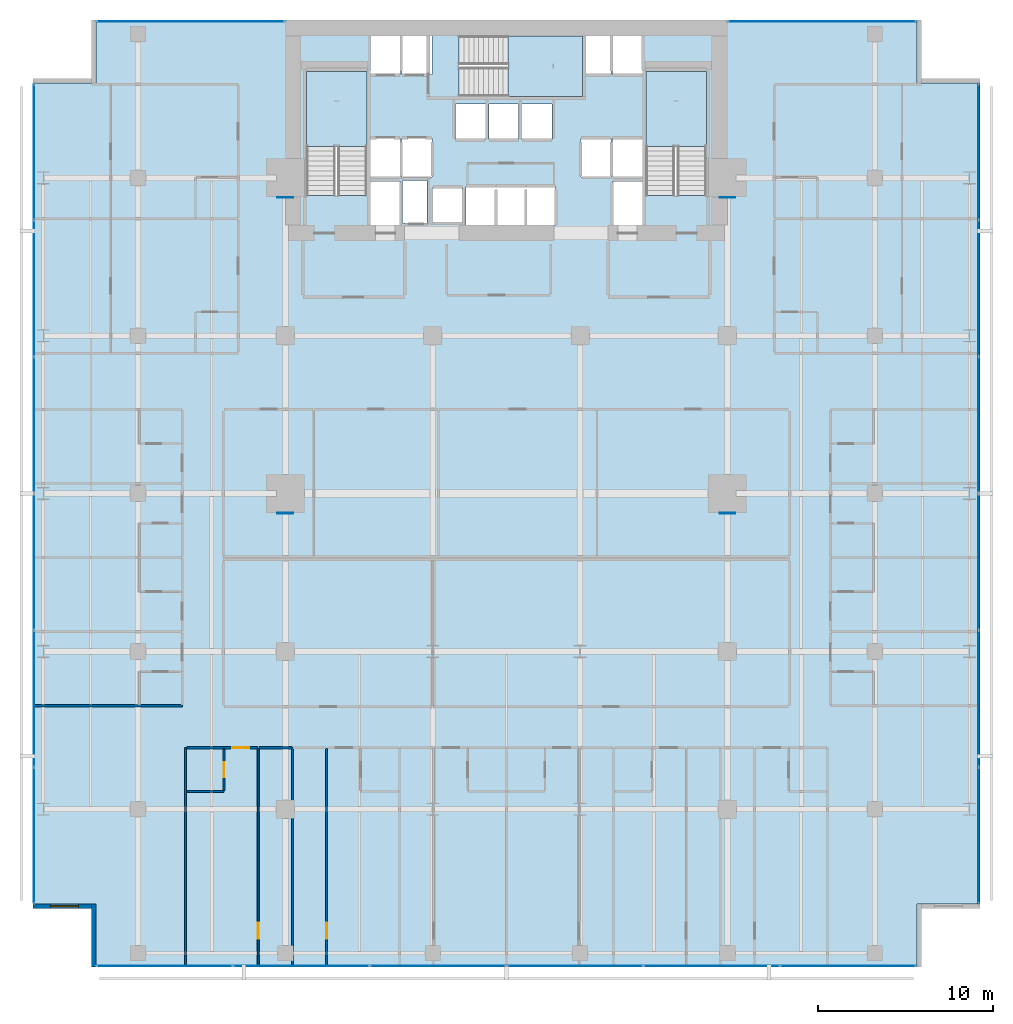
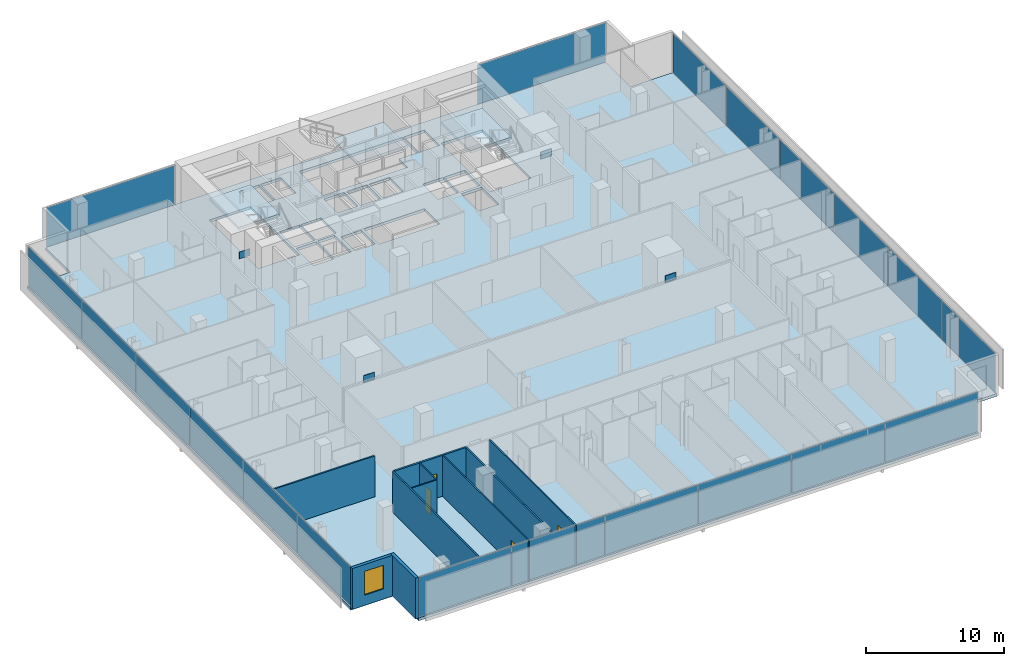
# One storey, part 32 of 40: 24 plates, 12 walls, 4 doors, 4 slabs, 1 window, 5 openings, 8 elements without a shape of their own.
"""IFC4 building model written with IfcOpenShell, lengths in metres."""

import ifcopenshell
import ifcopenshell.guid

model = None  # the IFC model being written
_history = None  # IfcOwnerHistory: only IFC2X3 demands one
_inside = {}  # id of a spatial element -> (the spatial element, [elements in it])
_under = {}  # id of a project, library or spatial element -> (it, [spatial elements below it])
_declared = {}  # id of a project -> (the project, [libraries it declares])
_typed = {}  # id of a type object -> (the type object, [elements of that type])
_made_of = {}  # id of a material, layer set ... -> (it, [elements and type objects made of it])


def new_model(schema):
    """Start an empty IFC model of exactly this schema.

    Asked for "IFC4X3", IfcOpenShell would pick the latest addendum, in which some entities
    have other attributes; the version numbers below select the first issue.
    IFC2X3 requires an IfcOwnerHistory on every rooted entity: one is made here for all.
    """
    global model, _history
    if schema == "IFC4X3":
        model = ifcopenshell.file(schema_version=(4, 3, 0, 0))
    else:
        model = ifcopenshell.file(schema=schema)
    _inside.clear()
    _under.clear()
    _declared.clear()
    _typed.clear()
    _made_of.clear()
    _history = None
    if model.schema == "IFC2X3":
        org = make("IfcOrganization", Name="unknown")
        user = make(
            "IfcPersonAndOrganization",
            ThePerson=make("IfcPerson", FamilyName="unknown"),
            TheOrganization=org,
        )
        app = make(
            "IfcApplication",
            ApplicationDeveloper=org,
            Version="unknown",
            ApplicationFullName="unknown",
            ApplicationIdentifier="unknown",
        )
        _history = make(
            "IfcOwnerHistory",
            OwningUser=user,
            OwningApplication=app,
            ChangeAction="ADDED",
            CreationDate=0,
        )
    return model


def make(cls, **values):
    """One entity of the class cls with the attributes given. An attribute that is None is left unset."""
    return model.create_entity(
        cls, **{name: value for name, value in values.items() if value is not None}
    )


def rooted(cls, **values):
    """An entity with a GlobalId (a new one), such as an element, a storey or a relation."""
    return make(cls, GlobalId=ifcopenshell.guid.new(), OwnerHistory=_history, **values)


def si_unit(unit_type, name, prefix=None):
    """IfcSIUnit, for example si_unit("LENGTHUNIT", "METRE", prefix="MILLI")."""
    return make("IfcSIUnit", UnitType=unit_type, Prefix=prefix, Name=name)


def assignment(units):
    """IfcUnitAssignment: the units of a project."""
    return None if units is None else make("IfcUnitAssignment", Units=units)


def point(xyz):
    """IfcCartesianPoint."""
    return None if xyz is None else make("IfcCartesianPoint", Coordinates=xyz)


def direction(xyz):
    """IfcDirection."""
    return None if xyz is None else make("IfcDirection", DirectionRatios=xyz)


def frame(location, z_axis=None, x_axis=None):
    """IfcAxis2Placement3D, a coordinate frame: its origin and axes. An axis left out is left unset."""
    return make(
        "IfcAxis2Placement3D",
        Location=point(location),
        Axis=direction(z_axis),
        RefDirection=direction(x_axis),
    )


def frame_2d(location, x_axis=None):
    """IfcAxis2Placement2D, a coordinate frame in the plane: its origin and x axis."""
    return make(
        "IfcAxis2Placement2D", Location=point(location), RefDirection=direction(x_axis)
    )


def origin():
    """The frame at (0, 0, 0) with its axes left unset."""
    return frame((0.0, 0.0, 0.0))


def origin_2d():
    """The frame at (0, 0) in the plane with its x axis left unset."""
    return frame_2d((0.0, 0.0))


def place(relative_to, where):
    """IfcLocalPlacement: puts the frame where relative to a parent placement (None: the world)."""
    return make(
        "IfcLocalPlacement", PlacementRelTo=relative_to, RelativePlacement=where
    )


def context(
    kind, dimensions, precision=None, world=None, true_north=None, identifier=None
):
    """IfcGeometricRepresentationContext, for example the 3D "Model" context."""
    return make(
        "IfcGeometricRepresentationContext",
        ContextIdentifier=identifier,
        ContextType=kind,
        CoordinateSpaceDimension=dimensions,
        Precision=precision,
        WorldCoordinateSystem=world,
        TrueNorth=true_north,
    )


def subcontext(parent, identifier, kind, view, scale=None):
    """IfcGeometricRepresentationSubContext, for example "Body" below "Model"."""
    return make(
        "IfcGeometricRepresentationSubContext",
        ContextIdentifier=identifier,
        ContextType=kind,
        ParentContext=parent,
        TargetScale=scale,
        TargetView=view,
    )


def project(units=None, contexts=None):
    """IfcProject with its units and contexts."""
    return rooted(
        "IfcProject",
        Name="project",
        RepresentationContexts=contexts,
        UnitsInContext=assignment(units),
    )


def spatial(cls, under=None, at=None, **own):
    """A site, building, storey or space (cls), placed at a placement, below another one or the project."""
    s = rooted(cls, ObjectPlacement=at, **own)
    if under is not None:
        _under.setdefault(under.id(), (under, []))[1].append(s)
    return s


def polyline(points):
    """IfcPolyline through the points."""
    return make("IfcPolyline", Points=[point(p) for p in points])


def profile(cls, at=None, kind="AREA", **sizes):
    """A parametric profile (cls). Its sizes go by their IFC names, for example OverallWidth=200.0."""
    return make(cls, ProfileType=kind, Position=at, **sizes)


def rectangle(**sizes):
    """IfcRectangleProfileDef."""
    return profile("IfcRectangleProfileDef", **sizes)


def outline(outer, holes=None, kind="AREA"):
    """IfcArbitraryClosedProfileDef: a profile drawn as a closed curve; with holes, ...WithVoids."""
    if holes is None:
        return make("IfcArbitraryClosedProfileDef", ProfileType=kind, OuterCurve=outer)
    return make(
        "IfcArbitraryProfileDefWithVoids",
        ProfileType=kind,
        OuterCurve=outer,
        InnerCurves=holes,
    )


def extrude(swept, where, along, depth):
    """IfcExtrudedAreaSolid: the profile swept, set in the frame where, extruded along a direction by depth."""
    return make(
        "IfcExtrudedAreaSolid",
        SweptArea=swept,
        Position=where,
        ExtrudedDirection=direction(along),
        Depth=depth,
    )


def shape(context_of_items, identifier, shape_type, items):
    """IfcShapeRepresentation: the items that make up one representation, for example the "Body"."""
    return make(
        "IfcShapeRepresentation",
        ContextOfItems=context_of_items,
        RepresentationIdentifier=identifier,
        RepresentationType=shape_type,
        Items=items,
    )


def material(Name=None, Category=None):
    """IfcMaterial."""
    return make("IfcMaterial", Name=Name, Category=Category)


def layer(
    of_material, thickness, ventilated=None, Name=None, Category=None, Priority=None
):
    """IfcMaterialLayer: one layer of a wall or slab, of a material (None: an air gap)."""
    return make(
        "IfcMaterialLayer",
        Material=of_material,
        LayerThickness=thickness,
        IsVentilated=ventilated,
        Name=Name,
        Category=Category,
        Priority=Priority,
    )


def layer_set(layers, Name=None):
    """IfcMaterialLayerSet."""
    return make("IfcMaterialLayerSet", MaterialLayers=layers, LayerSetName=Name)


def made_of(thing, what):
    """Note that an element or type object is made of a material, layer set ...; save() writes the relation."""
    if what is not None:
        _made_of.setdefault(what.id(), (what, []))[1].append(thing)
    return thing


def type_object(cls, material=None, **own):
    """A type object (cls), such as IfcWallType, which elements share."""
    return made_of(rooted(cls, **own), material)


def element(
    cls,
    number,
    at=None,
    inside=None,
    cuts=None,
    type_object=None,
    material=None,
    context=None,
    identifier="Body",
    shape_type=None,
    held_by="IfcProductDefinitionShape",
    body=None,
    shapes=None,
    **own,
):
    """One element of the class cls, such as IfcWall. Its Tag is "e" and its number.

    at: its placement. inside: the storey or other place that contains it. cuts: it is an
    opening in that element (IfcRelVoidsElement). A single representation is given by context,
    identifier, shape_type and body (its items); several are given by shapes. held_by: the class
    of the entity that holds the representations. save() writes the other relations.
    """
    e = rooted(cls, Tag="e%d" % number, ObjectPlacement=at, **own)
    if body is not None:
        shapes = [shape(context, identifier, shape_type, body)]
    if shapes is not None:
        e.Representation = make(held_by, Representations=shapes)
    if inside is not None:
        _inside.setdefault(inside.id(), (inside, []))[1].append(e)
    if cuts is not None:
        rooted(
            "IfcRelVoidsElement", RelatingBuildingElement=cuts, RelatedOpeningElement=e
        )
    if type_object is not None:
        _typed.setdefault(type_object.id(), (type_object, []))[1].append(e)
    return made_of(e, material)


def fill(opening, filler):
    """IfcRelFillsElement: the door or window that sits in an opening."""
    return rooted(
        "IfcRelFillsElement",
        RelatingOpeningElement=opening,
        RelatedBuildingElement=filler,
    )


def aggregate(whole, parts):
    """IfcRelAggregates: a whole, such as a stair, and the parts it consists of."""
    return rooted("IfcRelAggregates", RelatingObject=whole, RelatedObjects=parts)


def save(model, path):
    """Write the relations noted so far, then the file.

    IfcRelAggregates (storeys below a building ...), IfcRelContainedInSpatialStructure (elements
    in a storey), IfcRelDefinesByType, IfcRelAssociatesMaterial and IfcRelDeclares: one each for
    every whole, place, type object, material and project.
    """
    for whole, parts in _under.values():
        aggregate(whole, parts)
    for where, things in _inside.values():
        rooted(
            "IfcRelContainedInSpatialStructure",
            RelatedElements=things,
            RelatingStructure=where,
        )
    for kind, things in _typed.values():
        rooted("IfcRelDefinesByType", RelatedObjects=things, RelatingType=kind)
    for what, things in _made_of.values():
        rooted("IfcRelAssociatesMaterial", RelatedObjects=things, RelatingMaterial=what)
    for by, libraries in _declared.values():
        rooted("IfcRelDeclares", RelatingContext=by, RelatedDefinitions=libraries)
    model.write(path)


model = new_model("IFC4")

# Units and contexts
model_context = context("Model", 3, precision=1e-05, world=origin(), true_north=direction((0.0, 1.0)))
body_context = subcontext(model_context, "Body", "Model", "MODEL_VIEW")
ifc_project = project(units=[si_unit("LENGTHUNIT", "METRE"), si_unit("AREAUNIT", "SQUARE_METRE"), si_unit("VOLUMEUNIT", "CUBIC_METRE"), si_unit("PLANEANGLEUNIT", "RADIAN"), si_unit("MASSUNIT", "GRAM", prefix="KILO")], contexts=[model_context])

# Site, building, storey
site_placement = place(None, origin())
site = spatial("IfcSite", under=ifc_project, at=site_placement, CompositionType="ELEMENT")
building_placement = place(site_placement, origin())
building = spatial("IfcBuilding", under=site, at=building_placement, Name="Maruvema Waterfront Hotel and Observation Tower", CompositionType="ELEMENT")
storey_placement = place(building_placement, frame((0.0, 0.0, 30.800048828125)))
storey = spatial("IfcBuildingStorey", under=building, at=storey_placement, Name="L06", CompositionType="ELEMENT", Elevation=30.800048828125)

# Slab
ifc_material_1 = material(Name="Concrete C50/60", Category="concrete")
ifc_layer_1 = layer(ifc_material_1, 0.239990234375, Name="Reinforced Concrete Floor Slab 240 mm")
ifc_layer_set_1 = layer_set([ifc_layer_1], Name="Concrete C50/60")
slab_type_1 = type_object("IfcSlabType", Name="Reinforced Concrete Floor Slab 240 mm", PredefinedType="FLOOR", material=ifc_layer_set_1)
slab_1_placement = place(storey_placement, frame((0.0, 0.0, -0.239990234375)))
element("IfcSlab", 1, at=slab_1_placement, inside=storey, type_object=slab_type_1, Name="L06 Structural Floor Slab", PredefinedType="FLOOR", context=body_context, shape_type="SweptSolid", body=[
    extrude(outline(polyline([(14.39990234375, 0.0), (61.199951171875, 0.0), (61.199951171875, 3.60009765625), (64.800048828125, 3.60009765625), (64.800048828125, 50.39990234375), (61.199951171875, 50.39990234375), (61.199951171875, 54.0), (14.39990234375, 54.0), (14.39990234375, 50.39990234375), (10.800048828125, 50.39990234375), (10.800048828125, 3.60009765625), (14.39990234375, 3.60009765625), (14.39990234375, 0.0)]), holes=[polyline([(26.39990234375, 44.00048828125), (26.39990234375, 51.050048828125), (29.85009765625, 51.050048828125), (29.85009765625, 44.00048828125), (26.39990234375, 44.00048828125)]), polyline([(30.050048828125, 44.800048828125), (31.75, 44.800048828125), (31.75, 42.320068359375), (30.050048828125, 42.320068359375), (30.050048828125, 44.800048828125)]), polyline([(31.75, 47.25), (31.75, 45.050048828125), (30.050048828125, 45.050048828125), (30.050048828125, 47.25), (31.75, 47.25)]), polyline([(31.75, 53.10009765625), (31.75, 50.89990234375), (30.050048828125, 50.89990234375), (30.050048828125, 53.10009765625), (31.75, 53.10009765625)]), polyline([(33.280029296875, 44.860107421875), (33.280029296875, 42.43994140625), (31.8798828125, 42.43994140625), (31.8798828125, 44.860107421875), (33.280029296875, 44.860107421875)]), polyline([(31.85009765625, 47.25), (33.550048828125, 47.25), (33.550048828125, 45.050048828125), (31.85009765625, 45.050048828125), (31.85009765625, 47.25)]), polyline([(31.85009765625, 53.10009765625), (33.550048828125, 53.10009765625), (33.550048828125, 50.89990234375), (31.85009765625, 50.89990234375), (31.85009765625, 53.10009765625)]), polyline([(33.60009765625, 44.449951171875), (35.300048828125, 44.449951171875), (35.300048828125, 42.449951171875), (33.60009765625, 42.449951171875), (33.60009765625, 44.449951171875)]), polyline([(34.89990234375, 49.199951171875), (36.60009765625, 49.199951171875), (36.60009765625, 47.199951171875), (34.89990234375, 47.199951171875), (34.89990234375, 49.199951171875)]), polyline([(38.5, 49.199951171875), (38.5, 47.199951171875), (36.800048828125, 47.199951171875), (36.800048828125, 49.199951171875), (38.5, 49.199951171875)]), polyline([(35.5, 44.5), (40.60009765625, 44.5), (40.60009765625, 42.300048828125), (35.5, 42.300048828125), (35.5, 44.5)]), polyline([(43.75, 50.89990234375), (42.14990234375, 50.89990234375), (42.14990234375, 49.64990234375), (35.1005859375, 49.64990234375), (35.1005859375, 53.10009765625), (43.75, 53.10009765625), (43.75, 50.89990234375)]), polyline([(40.39990234375, 49.199951171875), (40.39990234375, 47.199951171875), (38.699951171875, 47.199951171875), (38.699951171875, 49.199951171875), (40.39990234375, 49.199951171875)]), polyline([(43.75, 47.25), (43.75, 45.050048828125), (42.050048828125, 45.050048828125), (42.050048828125, 47.25), (43.75, 47.25)]), polyline([(45.550048828125, 44.800048828125), (45.550048828125, 42.320068359375), (43.85009765625, 42.320068359375), (43.85009765625, 44.800048828125), (45.550048828125, 44.800048828125)]), polyline([(43.85009765625, 47.25), (45.550048828125, 47.25), (45.550048828125, 45.050048828125), (43.85009765625, 45.050048828125), (43.85009765625, 47.25)]), polyline([(45.550048828125, 53.10009765625), (45.550048828125, 50.89990234375), (43.85009765625, 50.89990234375), (43.85009765625, 53.10009765625), (45.550048828125, 53.10009765625)]), polyline([(45.75, 51.050048828125), (49.199951171875, 51.050048828125), (49.199951171875, 44.00048828125), (45.75, 44.00048828125), (45.75, 51.050048828125)])]), origin(), (0.0, 0.0, 1.0), 0.239990234375),
])

# Curtain wall, plates
ifc_material_2 = material(Name="Anodised bronze aluminium and solar-control low-E IGU", Category="aluminium")
ifc_layer_2 = layer(ifc_material_2, 0.159912109375, Name="Zone 1 Bronze Inner Thermal Curtain Wall System CW-02")
ifc_layer_set_2 = layer_set([ifc_layer_2], Name="Anodised bronze aluminium and solar-control low-E IGU")
curtain_wall_type = type_object("IfcCurtainWallType", Name="Zone 1 Bronze Inner Thermal Curtain Wall System CW-02", PredefinedType="USERDEFINED", material=ifc_layer_set_2)
curtain_wall_1_placement = place(storey_placement, origin())
curtain_wall_1 = element("IfcCurtainWall", 2, at=curtain_wall_1_placement, inside=storey, type_object=curtain_wall_type, Name="L06 Curtain Wall CW-L06-S", ObjectType="UNITISED CURTAIN WALL", PredefinedType="USERDEFINED")
ifc_material_3 = material(Name="Laminated low-E solar-control double glazing", Category="glass")
ifc_layer_3 = layer(ifc_material_3, 0.035888671875, Name="Solar Control Double-Glazed Curtain Panel 36 mm")
ifc_layer_set_3 = layer_set([ifc_layer_3], Name="Laminated low-E solar-control double glazing")
plate_type_1 = type_object("IfcPlateType", Name="Solar Control Double-Glazed Curtain Panel 36 mm", PredefinedType="CURTAIN_PANEL", material=ifc_layer_set_3)
plate_1_placement = place(storey_placement, frame((18.31494140625, 0.080078125, 0.06005859375), z_axis=(0.0, 0.0, 1.0), x_axis=(1.0, 0.0, 0.0)))
plate_1 = element("IfcPlate", 3, at=plate_1_placement, type_object=plate_type_1, Name="CW-02 panel 1.1", PredefinedType="CURTAIN_PANEL", context=body_context, shape_type="SweptSolid", body=[
    extrude(rectangle(XDim=7.7099609375, YDim=0.028076171875, at=origin_2d()), origin(), (0.0, 0.0, 1.0), 3.489990234375),
])
plate_2_placement = place(storey_placement, frame((26.10009765625, 0.080078125, 0.06005859375), z_axis=(0.0, 0.0, 1.0), x_axis=(1.0, 0.0, 0.0)))
plate_2 = element("IfcPlate", 4, at=plate_2_placement, type_object=plate_type_1, Name="CW-02 panel 2.1", PredefinedType="CURTAIN_PANEL", context=body_context, shape_type="SweptSolid", body=[
    extrude(rectangle(XDim=7.739990234375, YDim=0.028076171875, at=origin_2d()), origin(), (0.0, 0.0, 1.0), 3.489990234375),
])
plate_3_placement = place(storey_placement, frame((33.89990234375, 0.080078125, 0.06005859375), z_axis=(0.0, 0.0, 1.0), x_axis=(1.0, 0.0, 0.0)))
plate_3 = element("IfcPlate", 5, at=plate_3_placement, type_object=plate_type_1, Name="CW-02 panel 3.1", PredefinedType="CURTAIN_PANEL", context=body_context, shape_type="SweptSolid", body=[
    extrude(rectangle(XDim=7.739990234375, YDim=0.028076171875, at=origin_2d()), origin(), (0.0, 0.0, 1.0), 3.489990234375),
])
plate_4_placement = place(storey_placement, frame((41.699951171875, 0.080078125, 0.06005859375), z_axis=(0.0, 0.0, 1.0), x_axis=(1.0, 0.0, 0.0)))
plate_4 = element("IfcPlate", 6, at=plate_4_placement, type_object=plate_type_1, Name="CW-02 panel 4.1", PredefinedType="CURTAIN_PANEL", context=body_context, shape_type="SweptSolid", body=[
    extrude(rectangle(XDim=7.739990234375, YDim=0.028076171875, at=origin_2d()), origin(), (0.0, 0.0, 1.0), 3.489990234375),
])
plate_5_placement = place(storey_placement, frame((49.5, 0.080078125, 0.06005859375), z_axis=(0.0, 0.0, 1.0), x_axis=(1.0, 0.0, 0.0)))
plate_5 = element("IfcPlate", 7, at=plate_5_placement, type_object=plate_type_1, Name="CW-02 panel 5.1", PredefinedType="CURTAIN_PANEL", context=body_context, shape_type="SweptSolid", body=[
    extrude(rectangle(XDim=7.739990234375, YDim=0.028076171875, at=origin_2d()), origin(), (0.0, 0.0, 1.0), 3.489990234375),
])
plate_6_placement = place(storey_placement, frame((57.284912109375, 0.080078125, 0.06005859375), z_axis=(0.0, 0.0, 1.0), x_axis=(1.0, 0.0, 0.0)))
plate_6 = element("IfcPlate", 8, at=plate_6_placement, type_object=plate_type_1, Name="CW-02 panel 6.1", PredefinedType="CURTAIN_PANEL", context=body_context, shape_type="SweptSolid", body=[
    extrude(rectangle(XDim=7.7099609375, YDim=0.028076171875, at=origin_2d()), origin(), (0.0, 0.0, 1.0), 3.489990234375),
])
aggregate(curtain_wall_1, [plate_1, plate_2, plate_3, plate_4, plate_5, plate_6])

curtain_wall_2_placement = place(storey_placement, origin())
curtain_wall_2 = element("IfcCurtainWall", 9, at=curtain_wall_2_placement, inside=storey, type_object=curtain_wall_type, Name="L06 Curtain Wall CW-L06-E", ObjectType="UNITISED CURTAIN WALL", PredefinedType="USERDEFINED")
plate_7_placement = place(storey_placement, frame((64.719970703125, 7.514892578125, 0.06005859375), z_axis=(0.0, 0.0, 1.0), x_axis=(0.0, 1.0, 0.0)))
plate_7 = element("IfcPlate", 10, at=plate_7_placement, type_object=plate_type_1, Name="CW-02 panel 1.1", PredefinedType="CURTAIN_PANEL", context=body_context, shape_type="SweptSolid", body=[
    extrude(rectangle(XDim=7.7099609375, YDim=0.028076171875, at=origin_2d()), origin(), (0.0, 0.0, 1.0), 3.489990234375),
])
plate_8_placement = place(storey_placement, frame((64.719970703125, 15.300048828125, 0.06005859375), z_axis=(0.0, 0.0, 1.0), x_axis=(0.0, 1.0, 0.0)))
plate_8 = element("IfcPlate", 11, at=plate_8_placement, type_object=plate_type_1, Name="CW-02 panel 2.1", PredefinedType="CURTAIN_PANEL", context=body_context, shape_type="SweptSolid", body=[
    extrude(rectangle(XDim=7.739990234375, YDim=0.028076171875, at=origin_2d()), origin(), (0.0, 0.0, 1.0), 3.489990234375),
])
plate_9_placement = place(storey_placement, frame((64.719970703125, 23.10009765625, 0.06005859375), z_axis=(0.0, 0.0, 1.0), x_axis=(0.0, 1.0, 0.0)))
plate_9 = element("IfcPlate", 12, at=plate_9_placement, type_object=plate_type_1, Name="CW-02 panel 3.1", PredefinedType="CURTAIN_PANEL", context=body_context, shape_type="SweptSolid", body=[
    extrude(rectangle(XDim=7.739990234375, YDim=0.028076171875, at=origin_2d()), origin(), (0.0, 0.0, 1.0), 3.489990234375),
])
plate_10_placement = place(storey_placement, frame((64.719970703125, 30.89990234375, 0.06005859375), z_axis=(0.0, 0.0, 1.0), x_axis=(0.0, 1.0, 0.0)))
plate_10 = element("IfcPlate", 13, at=plate_10_placement, type_object=plate_type_1, Name="CW-02 panel 4.1", PredefinedType="CURTAIN_PANEL", context=body_context, shape_type="SweptSolid", body=[
    extrude(rectangle(XDim=7.739990234375, YDim=0.028076171875, at=origin_2d()), origin(), (0.0, 0.0, 1.0), 3.489990234375),
])
plate_11_placement = place(storey_placement, frame((64.719970703125, 38.699951171875, 0.06005859375), z_axis=(0.0, 0.0, 1.0), x_axis=(0.0, 1.0, 0.0)))
plate_11 = element("IfcPlate", 14, at=plate_11_placement, type_object=plate_type_1, Name="CW-02 panel 5.1", PredefinedType="CURTAIN_PANEL", context=body_context, shape_type="SweptSolid", body=[
    extrude(rectangle(XDim=7.739990234375, YDim=0.028076171875, at=origin_2d()), origin(), (0.0, 0.0, 1.0), 3.489990234375),
])
plate_12_placement = place(storey_placement, frame((64.719970703125, 46.485107421875, 0.06005859375), z_axis=(0.0, 0.0, 1.0), x_axis=(0.0, 1.0, 0.0)))
plate_12 = element("IfcPlate", 15, at=plate_12_placement, type_object=plate_type_1, Name="CW-02 panel 6.1", PredefinedType="CURTAIN_PANEL", context=body_context, shape_type="SweptSolid", body=[
    extrude(rectangle(XDim=7.7099609375, YDim=0.028076171875, at=origin_2d()), origin(), (0.0, 0.0, 1.0), 3.489990234375),
])
aggregate(curtain_wall_2, [plate_7, plate_8, plate_9, plate_10, plate_11, plate_12])

curtain_wall_3_placement = place(storey_placement, origin())
curtain_wall_3 = element("IfcCurtainWall", 16, at=curtain_wall_3_placement, inside=storey, type_object=curtain_wall_type, Name="L06 Curtain Wall CW-L06-W", ObjectType="UNITISED CURTAIN WALL", PredefinedType="USERDEFINED")
plate_13_placement = place(storey_placement, frame((10.8798828125, 46.485107421875, 0.06005859375), z_axis=(0.0, 0.0, 1.0), x_axis=(0.0, -1.0, 0.0)))
plate_13 = element("IfcPlate", 17, at=plate_13_placement, type_object=plate_type_1, Name="CW-02 panel 1.1", PredefinedType="CURTAIN_PANEL", context=body_context, shape_type="SweptSolid", body=[
    extrude(rectangle(XDim=7.7099609375, YDim=0.028076171875, at=origin_2d()), origin(), (0.0, 0.0, 1.0), 3.489990234375),
])
plate_14_placement = place(storey_placement, frame((10.8798828125, 38.699951171875, 0.06005859375), z_axis=(0.0, 0.0, 1.0), x_axis=(0.0, -1.0, 0.0)))
plate_14 = element("IfcPlate", 18, at=plate_14_placement, type_object=plate_type_1, Name="CW-02 panel 2.1", PredefinedType="CURTAIN_PANEL", context=body_context, shape_type="SweptSolid", body=[
    extrude(rectangle(XDim=7.739990234375, YDim=0.028076171875, at=origin_2d()), origin(), (0.0, 0.0, 1.0), 3.489990234375),
])
plate_15_placement = place(storey_placement, frame((10.8798828125, 30.89990234375, 0.06005859375), z_axis=(0.0, 0.0, 1.0), x_axis=(0.0, -1.0, 0.0)))
plate_15 = element("IfcPlate", 19, at=plate_15_placement, type_object=plate_type_1, Name="CW-02 panel 3.1", PredefinedType="CURTAIN_PANEL", context=body_context, shape_type="SweptSolid", body=[
    extrude(rectangle(XDim=7.739990234375, YDim=0.028076171875, at=origin_2d()), origin(), (0.0, 0.0, 1.0), 3.489990234375),
])
plate_16_placement = place(storey_placement, frame((10.8798828125, 23.10009765625, 0.06005859375), z_axis=(0.0, 0.0, 1.0), x_axis=(0.0, -1.0, 0.0)))
plate_16 = element("IfcPlate", 20, at=plate_16_placement, type_object=plate_type_1, Name="CW-02 panel 4.1", PredefinedType="CURTAIN_PANEL", context=body_context, shape_type="SweptSolid", body=[
    extrude(rectangle(XDim=7.739990234375, YDim=0.028076171875, at=origin_2d()), origin(), (0.0, 0.0, 1.0), 3.489990234375),
])
plate_17_placement = place(storey_placement, frame((10.8798828125, 15.300048828125, 0.06005859375), z_axis=(0.0, 0.0, 1.0), x_axis=(0.0, -1.0, 0.0)))
plate_17 = element("IfcPlate", 21, at=plate_17_placement, type_object=plate_type_1, Name="CW-02 panel 5.1", PredefinedType="CURTAIN_PANEL", context=body_context, shape_type="SweptSolid", body=[
    extrude(rectangle(XDim=7.739990234375, YDim=0.028076171875, at=origin_2d()), origin(), (0.0, 0.0, 1.0), 3.489990234375),
])
plate_18_placement = place(storey_placement, frame((10.8798828125, 7.514892578125, 0.06005859375), z_axis=(0.0, 0.0, 1.0), x_axis=(0.0, -1.0, 0.0)))
plate_18 = element("IfcPlate", 22, at=plate_18_placement, type_object=plate_type_1, Name="CW-02 panel 6.1", PredefinedType="CURTAIN_PANEL", context=body_context, shape_type="SweptSolid", body=[
    extrude(rectangle(XDim=7.7099609375, YDim=0.028076171875, at=origin_2d()), origin(), (0.0, 0.0, 1.0), 3.489990234375),
])
aggregate(curtain_wall_3, [plate_13, plate_14, plate_15, plate_16, plate_17, plate_18])

# Curtain wall, plate
curtain_wall_4_placement = place(storey_placement, origin())
curtain_wall_4 = element("IfcCurtainWall", 23, at=curtain_wall_4_placement, inside=storey, type_object=curtain_wall_type, Name="L06 Curtain Wall CW-L06-NW", ObjectType="UNITISED CURTAIN WALL", PredefinedType="USERDEFINED")
plate_19_placement = place(storey_placement, frame((19.800048828125, 53.919921875, 0.06005859375), z_axis=(0.0, 0.0, 1.0), x_axis=(-1.0, 0.0, 0.0)))
plate_19 = element("IfcPlate", 24, at=plate_19_placement, type_object=plate_type_1, Name="CW-02 panel 1.1", PredefinedType="CURTAIN_PANEL", context=body_context, shape_type="SweptSolid", body=[
    extrude(rectangle(XDim=10.679931640625, YDim=0.028076171875, at=origin_2d()), origin(), (0.0, 0.0, 1.0), 3.489990234375),
])
aggregate(curtain_wall_4, [plate_19])

curtain_wall_5_placement = place(storey_placement, origin())
curtain_wall_5 = element("IfcCurtainWall", 25, at=curtain_wall_5_placement, inside=storey, type_object=curtain_wall_type, Name="L06 Curtain Wall CW-L06-NE", ObjectType="UNITISED CURTAIN WALL", PredefinedType="USERDEFINED")
plate_20_placement = place(storey_placement, frame((55.800048828125, 53.919921875, 0.06005859375), z_axis=(0.0, 0.0, 1.0), x_axis=(-1.0, 0.0, 0.0)))
plate_20 = element("IfcPlate", 26, at=plate_20_placement, type_object=plate_type_1, Name="CW-02 panel 1.1", PredefinedType="CURTAIN_PANEL", context=body_context, shape_type="SweptSolid", body=[
    extrude(rectangle(XDim=10.679931640625, YDim=0.028076171875, at=origin_2d()), origin(), (0.0, 0.0, 1.0), 3.489990234375),
])
aggregate(curtain_wall_5, [plate_20])

# Stair, slab
ifc_material_4 = material(Name="Concrete C50/60", Category="concrete")
stair_type = type_object("IfcStairType", Name="Dogleg Exit Stair 1650 mm (22R x 175.0 mm)", PredefinedType="HALF_TURN_STAIR", material=ifc_material_4)
stair_1_placement = place(storey_placement, origin())
stair_1 = element("IfcStair", 27, at=stair_1_placement, inside=storey, type_object=stair_type, Name="L06 ST-01", PredefinedType="HALF_TURN_STAIR")
ifc_material_5 = material(Name="Concrete C50/60", Category="concrete")
ifc_layer_4 = layer(ifc_material_5, 0.219970703125, Name="Stair Concrete Landing Slab 220 mm")
ifc_layer_set_4 = layer_set([ifc_layer_4], Name="Concrete C50/60")
slab_type_2 = type_object("IfcSlabType", Name="Stair Concrete Landing Slab 220 mm", PredefinedType="LANDING", material=ifc_layer_set_4)
slab_2_placement = place(storey_placement, frame((0.0, 0.0, 1.704833984375)))
slab_2 = element("IfcSlab", 28, at=slab_2_placement, type_object=slab_type_2, Name="ST-01 landing 1", PredefinedType="LANDING", context=body_context, shape_type="SweptSolid", body=[
    extrude(outline(polyline([(29.85009765625, 46.800048828125), (29.85009765625, 51.050048828125), (26.39990234375, 51.050048828125), (26.39990234375, 46.800048828125), (29.85009765625, 46.800048828125)])), origin(), (0.0, 0.0, 1.0), 0.22021484375),
])
aggregate(stair_1, [slab_2])

stair_2_placement = place(storey_placement, origin())
stair_2 = element("IfcStair", 29, at=stair_2_placement, inside=storey, type_object=stair_type, Name="L06 ST-02", PredefinedType="HALF_TURN_STAIR")
slab_3_placement = place(storey_placement, frame((0.0, 0.0, 1.704833984375)))
slab_3 = element("IfcSlab", 30, at=slab_3_placement, type_object=slab_type_2, Name="ST-02 landing 1", PredefinedType="LANDING", context=body_context, shape_type="SweptSolid", body=[
    extrude(outline(polyline([(37.89990234375, 49.64990234375), (42.14990234375, 49.64990234375), (42.14990234375, 53.10009765625), (37.89990234375, 53.10009765625), (37.89990234375, 49.64990234375)])), origin(), (0.0, 0.0, 1.0), 0.22021484375),
])
aggregate(stair_2, [slab_3])

stair_3_placement = place(storey_placement, origin())
stair_3 = element("IfcStair", 31, at=stair_3_placement, inside=storey, type_object=stair_type, Name="L06 ST-03", PredefinedType="HALF_TURN_STAIR")
slab_4_placement = place(storey_placement, frame((0.0, 0.0, 1.704833984375)))
slab_4 = element("IfcSlab", 32, at=slab_4_placement, type_object=slab_type_2, Name="ST-03 landing 1", PredefinedType="LANDING", context=body_context, shape_type="SweptSolid", body=[
    extrude(outline(polyline([(49.199951171875, 46.800048828125), (49.199951171875, 51.050048828125), (45.75, 51.050048828125), (45.75, 46.800048828125), (49.199951171875, 46.800048828125)])), origin(), (0.0, 0.0, 1.0), 0.22021484375),
])
aggregate(stair_3, [slab_4])

# Plates
ifc_material_6 = material(Name="Steel ABNT NBR 7007 AR 415 (ASTM A572 Grade 50)", Category="steel")
ifc_layer_5 = layer(ifc_material_6, 0.0400390625, Name="Structural Truss Node Gusset Plate 40 mm")
ifc_layer_set_5 = layer_set([ifc_layer_5], Name="Steel ABNT NBR 7007 AR 415 (ASTM A572 Grade 50)")
plate_type_2 = type_object("IfcPlateType", Name="Structural Truss Node Gusset Plate 40 mm", PredefinedType="USERDEFINED", material=ifc_layer_set_5)
for number, where, z_axis, x_axis, name in (
    (33, (25.199951171875, 25.8798828125, 1.5), (0.0, 0.0, 1.0), (1.0, 0.0, 0.0), "L06 MC-01 Moment Frame Continuity Gusset Plate"),
    (34, (50.39990234375, 25.8798828125, 1.5), (0.0, 0.0, 1.0), (1.0, 0.0, 0.0), "L06 MC-02 Moment Frame Continuity Gusset Plate"),
    (35, (25.199951171875, 43.8798828125, 1.5), (0.0, 0.0, 1.0), (1.0, 0.0, 0.0), "L06 MC-03 Moment Frame Continuity Gusset Plate"),
    (36, (50.39990234375, 43.8798828125, 1.5), (0.0, 0.0, 1.0), (1.0, 0.0, 0.0), "L06 MC-04 Moment Frame Continuity Gusset Plate"),
):
    element("IfcPlate", number, at=place(storey_placement, frame(where, z_axis=z_axis, x_axis=x_axis)), inside=storey, type_object=plate_type_2, Name=name, ObjectType="GUSSET_PLATE", PredefinedType="USERDEFINED", context=body_context, shape_type="SweptSolid", body=[
        extrude(rectangle(XDim=0.89990234375, YDim=0.0400390625, at=origin_2d()), origin(), (0.0, 0.0, 1.0), 0.60009765625),
    ])

# Wall
ifc_material_7 = material(Name="Twin-stud acoustic gypsum drywall", Category="gypsum")
ifc_layer_6 = layer(ifc_material_7, 0.14990234375, Name="Acoustic Corridor and Suite Demising Wall 150 mm")
ifc_layer_set_6 = layer_set([ifc_layer_6], Name="Twin-stud acoustic gypsum drywall")
wall_type_1 = type_object("IfcWallType", Name="Acoustic Corridor and Suite Demising Wall 150 mm", PredefinedType="PARTITIONING", material=ifc_layer_set_6)
wall_1_placement = place(storey_placement, frame((19.580078125, 12.52001953125, 0.0), z_axis=(0.0, 0.0, 1.0), x_axis=(1.0, 0.0, 0.0)))
element("IfcWall", 37, at=wall_1_placement, inside=storey, type_object=wall_type_1, Name="L06 Bath L06-S1 Back Wall 034", PredefinedType="PARTITIONING", context=body_context, shape_type="SweptSolid", body=[
    extrude(rectangle(XDim=2.119873046875, YDim=0.14990234375, at=frame_2d((1.06005859375, 0.0))), origin(), (0.0, 0.0, 1.0), 3.60986328125),
])

# Wall, opening, door
wall_2_placement = place(storey_placement, frame((21.699951171875, 12.52001953125, 0.0), z_axis=(0.0, 0.0, 1.0), x_axis=(1.0, 0.0, 0.0)))
wall_2 = element("IfcWall", 38, at=wall_2_placement, inside=storey, type_object=wall_type_1, Name="L06 Unit L06-S1 Corridor Wall 037", PredefinedType="PARTITIONING", context=body_context, shape_type="SweptSolid", body=[
    extrude(rectangle(XDim=1.91015625, YDim=0.14990234375, at=frame_2d((0.955078125, 0.0))), origin(), (0.0, 0.0, 1.0), 3.60986328125),
])
opening_1_placement = place(wall_2_placement, frame((0.47998046875, 0.0, 0.0)))
opening_1 = element("IfcOpeningElement", 39, at=opening_1_placement, cuts=wall_2, Name="Opening DR-095", PredefinedType="OPENING", context=body_context, shape_type="SweptSolid", body=[
    extrude(rectangle(XDim=0.949951171875, YDim=2.14990234375, at=frame_2d((0.47509765625, 1.074951171875))), frame((0.0, 0.0849609375, 0.0), z_axis=(0.0, -1.0, 0.0), x_axis=(1.0, 0.0, 0.0)), (0.0, 0.0, 1.0), 0.169921875),
])
ifc_material_8 = material(Name="Acoustic solid-core hardwood timber leaf", Category="wood")
door_type_1 = type_object("IfcDoorType", Name="Guestroom Entrance Fire Door 950x2150 mm", OperationType="NOTDEFINED", PredefinedType="DOOR", material=ifc_material_8)
door_1_placement = place(opening_1_placement, frame((0.949951171875, 0.0, 0.0), z_axis=(0.0, 0.0, 1.0), x_axis=(-1.0, 0.0, 0.0)))
door_1 = element("IfcDoor", 40, at=door_1_placement, inside=storey, type_object=door_type_1, Name="L06 Unit L06-S1 Entrance Door", OperationType="SINGLE_SWING_RIGHT", OverallHeight=2.14990234375, OverallWidth=0.949951171875, PredefinedType="DOOR", context=body_context, shape_type="SweptSolid", body=[
    extrude(rectangle(XDim=0.949951171875, YDim=2.14990234375, at=frame_2d((0.47509765625, 1.074951171875))), frame((0.0, 0.02490234375, 0.0), z_axis=(0.0, -1.0, 0.0), x_axis=(1.0, 0.0, 0.0)), (0.0, 0.0, 1.0), 0.050048828125),
])
fill(opening_1, door_1)

# Walls
wall_3_placement = place(storey_placement, frame((23.68994140625, 12.52001953125, 0.0), z_axis=(0.0, 0.0, 1.0), x_axis=(1.0, 0.0, 0.0)))
element("IfcWall", 41, at=wall_3_placement, inside=storey, type_object=wall_type_1, Name="L06 Bedroom L06-S1 Back Wall 038", PredefinedType="PARTITIONING", context=body_context, shape_type="SweptSolid", body=[
    extrude(rectangle(XDim=1.89013671875, YDim=0.14990234375, at=frame_2d((0.945068359375, 0.0))), origin(), (0.0, 0.0, 1.0), 3.60986328125),
])
ifc_material_9 = material(Name="Moisture-resistant cement-board drywall", Category="gypsum")
ifc_layer_7 = layer(ifc_material_9, 0.10009765625, Name="En-Suite Moisture-Resistant Partition 100 mm")
ifc_layer_set_7 = layer_set([ifc_layer_7], Name="Moisture-resistant cement-board drywall")
wall_type_2 = type_object("IfcWallType", Name="En-Suite Moisture-Resistant Partition 100 mm", PredefinedType="PARTITIONING", material=ifc_layer_set_7)
wall_4_placement = place(storey_placement, frame((19.580078125, 10.02001953125, 0.0), z_axis=(0.0, 0.0, 1.0), x_axis=(1.0, 0.0, 0.0)))
element("IfcWall", 42, at=wall_4_placement, inside=storey, type_object=wall_type_2, Name="L06 En-Suite L06-S1 South 035", PredefinedType="PARTITIONING", context=body_context, shape_type="SweptSolid", body=[
    extrude(rectangle(XDim=2.119873046875, YDim=0.10009765625, at=frame_2d((1.06005859375, 0.0))), origin(), (0.0, 0.0, 1.0), 3.60986328125),
])

# Wall, opening, door
wall_5_placement = place(storey_placement, frame((21.699951171875, 10.080078125, 0.0), z_axis=(0.0, 0.0, 1.0), x_axis=(0.0, 1.0, 0.0)))
wall_5 = element("IfcWall", 43, at=wall_5_placement, inside=storey, type_object=wall_type_2, Name="L06 En-Suite L06-S1 East 036", PredefinedType="PARTITIONING", context=body_context, shape_type="SweptSolid", body=[
    extrude(rectangle(XDim=2.33984375, YDim=0.10009765625, at=frame_2d((1.169921875, 0.0))), origin(), (0.0, 0.0, 1.0), 3.60986328125),
])
opening_2_placement = place(wall_5_placement, frame((0.7451171875, 0.0, 0.0)))
opening_2 = element("IfcOpeningElement", 44, at=opening_2_placement, cuts=wall_5, Name="Opening DR-085", PredefinedType="OPENING", context=body_context, shape_type="SweptSolid", body=[
    extrude(rectangle(XDim=0.85009765625, YDim=2.10009765625, at=frame_2d((0.425048828125, 1.050048828125))), frame((0.0, 0.06005859375, 0.0), z_axis=(0.0, -1.0, 0.0), x_axis=(1.0, 0.0, 0.0)), (0.0, 0.0, 1.0), 0.1201171875),
])
ifc_material_10 = material(Name="Moisture-resistant solid timber leaf", Category="wood")
door_type_2 = type_object("IfcDoorType", Name="En-Suite Bathroom Door 850x2100 mm", OperationType="NOTDEFINED", PredefinedType="DOOR", material=ifc_material_10)
door_2_placement = place(opening_2_placement, frame((0.85009765625, 0.0, 0.0), z_axis=(0.0, 0.0, 1.0), x_axis=(-1.0, 0.0, 0.0)))
door_2 = element("IfcDoor", 45, at=door_2_placement, inside=storey, type_object=door_type_2, Name="L06 En-Suite L06-S1 Door", OperationType="SINGLE_SWING_LEFT", OverallHeight=2.10009765625, OverallWidth=0.85009765625, PredefinedType="DOOR", context=body_context, shape_type="SweptSolid", body=[
    extrude(rectangle(XDim=0.85009765625, YDim=2.10009765625, at=frame_2d((0.425048828125, 1.050048828125))), frame((0.0, 0.02490234375, 0.0), z_axis=(0.0, -1.0, 0.0), x_axis=(1.0, 0.0, 0.0)), (0.0, 0.0, 1.0), 0.050048828125),
])
fill(opening_2, door_2)

wall_6_placement = place(storey_placement, frame((23.64990234375, 0.030029296875, 0.0), z_axis=(0.0, 0.0, 1.0), x_axis=(0.0, 1.0, 0.0)))
wall_6 = element("IfcWall", 46, at=wall_6_placement, inside=storey, type_object=wall_type_2, Name="L06 Suite L06-S1 Split 039", PredefinedType="PARTITIONING", context=body_context, shape_type="SweptSolid", body=[
    extrude(rectangle(XDim=12.429931640625, YDim=0.10009765625, at=frame_2d((6.21484375, 0.0))), origin(), (0.0, 0.0, 1.0), 3.60986328125),
])
opening_3_placement = place(wall_6_placement, frame((1.60009765625, 0.0, 0.0)))
opening_3 = element("IfcOpeningElement", 47, at=opening_3_placement, cuts=wall_6, Name="Opening DR-090", PredefinedType="OPENING", context=body_context, shape_type="SweptSolid", body=[
    extrude(rectangle(XDim=0.89990234375, YDim=2.10009765625, at=frame_2d((0.449951171875, 1.050048828125))), frame((0.0, 0.06005859375, 0.0), z_axis=(0.0, -1.0, 0.0), x_axis=(1.0, 0.0, 0.0)), (0.0, 0.0, 1.0), 0.1201171875),
])
ifc_material_11 = material(Name="Solid-core lacquered timber leaf", Category="wood")
door_type_3 = type_object("IfcDoorType", Name="Accessible Toilet and Room Door 900x2100 mm", OperationType="NOTDEFINED", PredefinedType="DOOR", material=ifc_material_11)
door_3_placement = place(opening_3_placement, origin())
door_3 = element("IfcDoor", 48, at=door_3_placement, inside=storey, type_object=door_type_3, Name="L06 Suite L06-S1 Bedroom Door", OperationType="SINGLE_SWING_LEFT", OverallHeight=2.10009765625, OverallWidth=0.89990234375, PredefinedType="DOOR", context=body_context, shape_type="SweptSolid", body=[
    extrude(rectangle(XDim=0.89990234375, YDim=2.10009765625, at=frame_2d((0.449951171875, 1.050048828125))), frame((0.0, 0.02490234375, 0.0), z_axis=(0.0, -1.0, 0.0), x_axis=(1.0, 0.0, 0.0)), (0.0, 0.0, 1.0), 0.050048828125),
])
fill(opening_3, door_3)

wall_7_placement = place(storey_placement, frame((27.550048828125, 0.030029296875, 0.0), z_axis=(0.0, 0.0, 1.0), x_axis=(0.0, 1.0, 0.0)))
wall_7 = element("IfcWall", 49, at=wall_7_placement, inside=storey, type_object=wall_type_2, Name="L06 Suite L06-S2 Split 046", PredefinedType="PARTITIONING", context=body_context, shape_type="SweptSolid", body=[
    extrude(rectangle(XDim=12.429931640625, YDim=0.10009765625, at=frame_2d((6.21484375, 0.0))), origin(), (0.0, 0.0, 1.0), 3.60986328125),
])
opening_4_placement = place(wall_7_placement, frame((1.60009765625, 0.0, 0.0)))
opening_4 = element("IfcOpeningElement", 50, at=opening_4_placement, cuts=wall_7, Name="Opening DR-090", PredefinedType="OPENING", context=body_context, shape_type="SweptSolid", body=[
    extrude(rectangle(XDim=0.89990234375, YDim=2.10009765625, at=frame_2d((0.449951171875, 1.050048828125))), frame((0.0, 0.06005859375, 0.0), z_axis=(0.0, -1.0, 0.0), x_axis=(1.0, 0.0, 0.0)), (0.0, 0.0, 1.0), 0.1201171875),
])
door_4_placement = place(opening_4_placement, frame((0.89990234375, 0.0, 0.0), z_axis=(0.0, 0.0, 1.0), x_axis=(-1.0, 0.0, 0.0)))
door_4 = element("IfcDoor", 51, at=door_4_placement, inside=storey, type_object=door_type_3, Name="L06 Suite L06-S2 Bedroom Door", OperationType="SINGLE_SWING_RIGHT", OverallHeight=2.10009765625, OverallWidth=0.89990234375, PredefinedType="DOOR", context=body_context, shape_type="SweptSolid", body=[
    extrude(rectangle(XDim=0.89990234375, YDim=2.10009765625, at=frame_2d((0.449951171875, 1.050048828125))), frame((0.0, 0.02490234375, 0.0), z_axis=(0.0, -1.0, 0.0), x_axis=(1.0, 0.0, 0.0)), (0.0, 0.0, 1.0), 0.050048828125),
])
fill(opening_4, door_4)

# Wall
ifc_material_12 = material(Name="Precast concrete C45/55 with honed Pernambuco granite facing", Category="masonry")
ifc_layer_8 = layer(ifc_material_12, 0.260009765625, Name="Exterior Granite Clad Spandrel and Pier Wall 260 mm")
ifc_layer_set_8 = layer_set([ifc_layer_8], Name="Precast concrete C45/55 with honed Pernambuco granite facing")
wall_type_3 = type_object("IfcWallType", Name="Exterior Granite Clad Spandrel and Pier Wall 260 mm", PredefinedType="SOLIDWALL", material=ifc_layer_set_8)
wall_8_placement = place(storey_placement, frame((14.27001953125, 0.0, 0.0), z_axis=(0.0, 0.0, 1.0), x_axis=(0.0, 1.0, 0.0)))
element("IfcWall", 52, at=wall_8_placement, inside=storey, type_object=wall_type_3, Name="L06 Corner Notch Granite Pier Wall SW1", PredefinedType="SOLIDWALL", context=body_context, shape_type="SweptSolid", body=[
    extrude(rectangle(XDim=3.60009765625, YDim=0.260009765625, at=frame_2d((1.800048828125, 0.0))), origin(), (0.0, 0.0, 1.0), 3.60986328125),
])

# Wall, opening, window
wall_9_placement = place(storey_placement, frame((14.39990234375, 3.469970703125, 0.0), z_axis=(0.0, 0.0, 1.0), x_axis=(-1.0, 0.0, 0.0)))
wall_9 = element("IfcWall", 53, at=wall_9_placement, inside=storey, type_object=wall_type_3, Name="L06 Corner Notch Granite Pier Wall SW2", PredefinedType="SOLIDWALL", context=body_context, shape_type="SweptSolid", body=[
    extrude(rectangle(XDim=3.599853515625, YDim=0.260009765625, at=frame_2d((1.7998046875, 0.0))), origin(), (0.0, 0.0, 1.0), 3.60986328125),
])
opening_5_placement = place(wall_9_placement, frame((1.0, 0.0, 0.89990234375)))
opening_5 = element("IfcOpeningElement", 54, at=opening_5_placement, cuts=wall_9, Name="Opening WN-01", PredefinedType="OPENING", context=body_context, shape_type="SweptSolid", body=[
    extrude(rectangle(XDim=1.60009765625, YDim=2.10009765625, at=frame_2d((0.800048828125, 1.050048828125))), frame((0.0, 0.14013671875, 0.0), z_axis=(0.0, -1.0, 0.0), x_axis=(1.0, 0.0, 0.0)), (0.0, 0.0, 1.0), 0.280029296875),
])
ifc_material_13 = material(Name="Anodised bronze aluminium frame with laminated low-E glass", Category="aluminium")
window_type = type_object("IfcWindowType", Name="Corner Notch Feature Window 1600x2100 mm", PartitioningType="SINGLE_PANEL", PredefinedType="WINDOW", material=ifc_material_13)
window_placement = place(opening_5_placement, origin())
window = element("IfcWindow", 55, at=window_placement, inside=storey, type_object=window_type, Name="L06 Corner Notch Punched Window SW2", OverallHeight=2.10009765625, OverallWidth=1.60009765625, PartitioningType="SINGLE_PANEL", PredefinedType="WINDOW", context=body_context, shape_type="SweptSolid", body=[
    extrude(rectangle(XDim=1.60009765625, YDim=2.10009765625, at=frame_2d((0.800048828125, 1.050048828125))), frame((0.0, 0.030029296875, 0.0), z_axis=(0.0, -1.0, 0.0), x_axis=(1.0, 0.0, 0.0)), (0.0, 0.0, 1.0), 0.06005859375),
])
fill(opening_5, window)

# Walls
ifc_material_14 = material(Name="Acoustic gypsum plasterboard drywall", Category="gypsum")
ifc_layer_9 = layer(ifc_material_14, 0.125, Name="Guestroom Acoustic Demising Wall 125 mm")
ifc_layer_set_9 = layer_set([ifc_layer_9], Name="Acoustic gypsum plasterboard drywall")
wall_type_4 = type_object("IfcWallType", Name="Guestroom Acoustic Demising Wall 125 mm", PredefinedType="PARTITIONING", material=ifc_layer_set_9)
for number, where, z_axis, x_axis, name in (
    (56, (19.5, 0.10009765625, 0.0), (0.0, 0.0, 1.0), (0.0, 1.0, 0.0), "L06 S West End 032"),
    (57, (25.60009765625, 0.10009765625, 0.0), (0.0, 0.0, 1.0), (0.0, 1.0, 0.0), "L06 S Demising 2 040"),
):
    element("IfcWall", number, at=place(storey_placement, frame(where, z_axis=z_axis, x_axis=x_axis)), inside=storey, type_object=wall_type_4, Name=name, PredefinedType="PARTITIONING", context=body_context, shape_type="SweptSolid", body=[
        extrude(rectangle(XDim=12.419921875, YDim=0.125, at=frame_2d((6.2099609375, 0.0))), origin(), (0.0, 0.0, 1.0), 3.60986328125),
    ])
wall_10_placement = place(storey_placement, frame((10.89990234375, 14.89990234375, 0.0), z_axis=(0.0, 0.0, 1.0), x_axis=(1.0, 0.0, 0.0)))
element("IfcWall", 58, at=wall_10_placement, inside=storey, type_object=wall_type_4, Name="L06 W Bot End 075", PredefinedType="PARTITIONING", context=body_context, shape_type="SweptSolid", body=[
    extrude(rectangle(XDim=8.420166015625, YDim=0.125, at=frame_2d((4.2099609375, 0.0))), origin(), (0.0, 0.0, 1.0), 3.60986328125),
])

save(model, "model.ifc")
